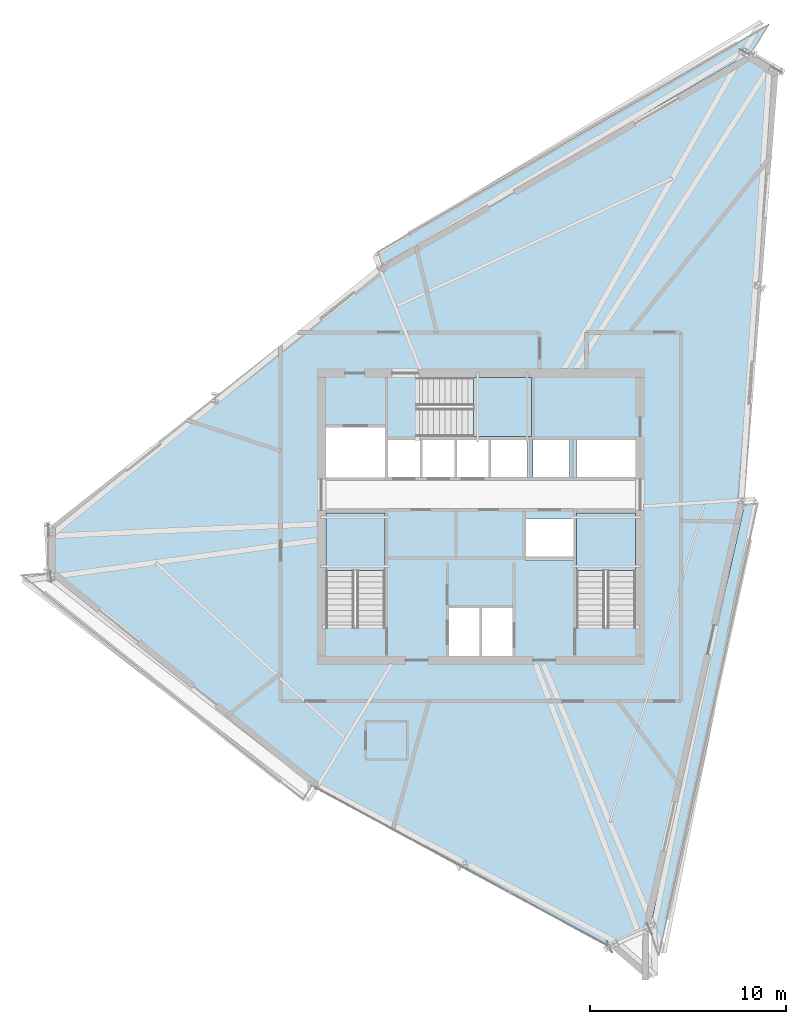
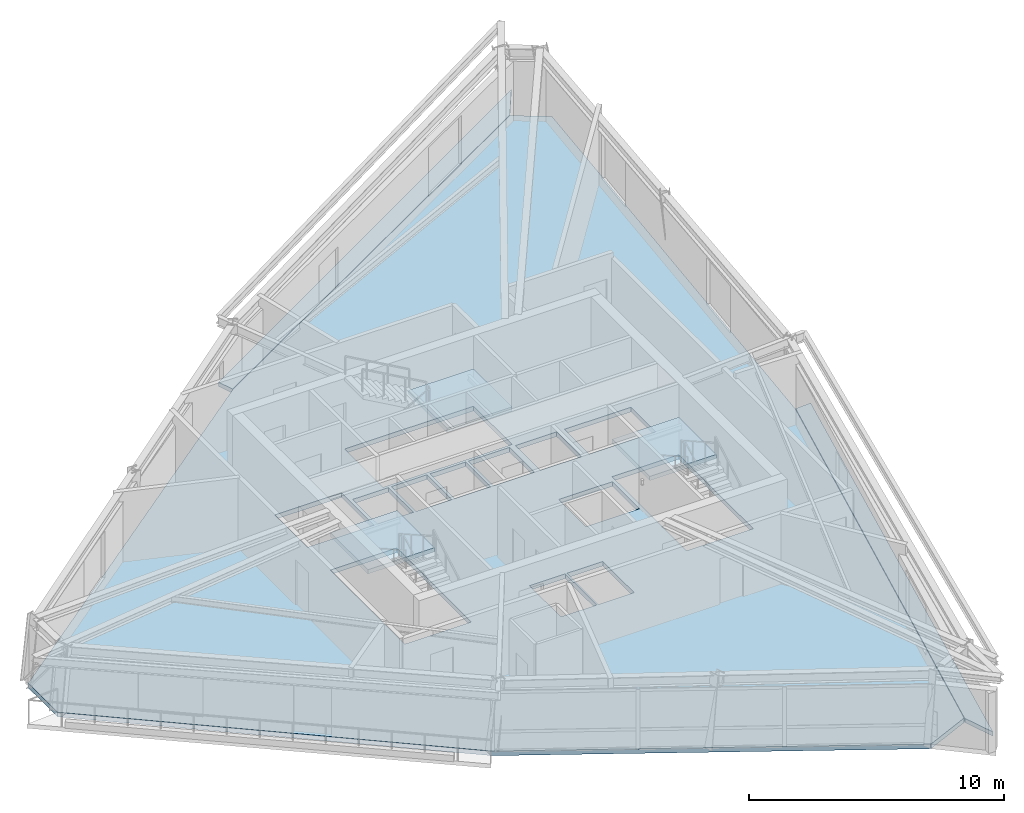
# One storey, part 7 of 15: 6 slabs, 3 elements without a shape of their own.
"""IFC4 building model written with IfcOpenShell, lengths in metres."""

from ifc_helpers import new_model, si_unit, direction, frame, origin, place, context, subcontext, project, spatial, polyline, outline, extrude, material, layer, layer_set, type_object, element, aggregate, save


model = new_model("IFC4")

# Units and contexts
model_context = context("Model", 3, precision=1e-05, world=origin(), true_north=direction((0.0, 1.0)))
body_context = subcontext(model_context, "Body", "Model", "MODEL_VIEW")
ifc_project = project(units=[si_unit("LENGTHUNIT", "METRE"), si_unit("AREAUNIT", "SQUARE_METRE"), si_unit("VOLUMEUNIT", "CUBIC_METRE"), si_unit("PLANEANGLEUNIT", "RADIAN"), si_unit("MASSUNIT", "GRAM", prefix="KILO")], contexts=[model_context])

# Site, building, storey
site_placement = place(None, origin())
site = spatial("IfcSite", under=ifc_project, at=site_placement, CompositionType="ELEMENT")
building_placement = place(site_placement, origin())
building = spatial("IfcBuilding", under=site, at=building_placement, Name="Olszyna Solenne Hotel", CompositionType="ELEMENT")
storey_placement = place(building_placement, frame((0.0, 0.0, 270.5)))
storey = spatial("IfcBuildingStorey", under=building, at=storey_placement, Name="L72", CompositionType="ELEMENT", Elevation=270.5)

# Stair, slab
ifc_material_1 = material(Name="Concrete C40/50", Category="concrete")
stair_type = type_object("IfcStairType", Name="STR-C1", PredefinedType="TWO_QUARTER_WINDING_STAIR", material=ifc_material_1)
stair_1_placement = place(storey_placement, origin())
stair_1 = element("IfcStair", 1, at=stair_1_placement, inside=storey, type_object=stair_type, Name="L72 ST1", PredefinedType="TWO_QUARTER_WINDING_STAIR")
ifc_layer_1 = layer(ifc_material_1, 0.18994140625, Name="Concrete C40/50")
ifc_layer_set_1 = layer_set([ifc_layer_1], Name="Concrete C40/50")
slab_type_1 = type_object("IfcSlabType", Name="SL-LN190", PredefinedType="LANDING", material=ifc_layer_set_1)
slab_1_placement = place(storey_placement, frame((0.0, 0.0, 1.60009765625)))
slab_1 = element("IfcSlab", 2, at=slab_1_placement, type_object=slab_type_1, Name="ST1 landing 1", PredefinedType="LANDING", context=body_context, shape_type="SweptSolid", body=[
    extrude(outline(polyline([(33.1201171875, 23.85009765625), (33.1201171875, 26.800048828125), (30.10009765625, 26.800048828125), (30.10009765625, 23.85009765625), (33.1201171875, 23.85009765625)])), origin(), (0.0, 0.0, 1.0), 0.199951171875),
])
aggregate(stair_1, [slab_1])

stair_2_placement = place(storey_placement, origin())
stair_2 = element("IfcStair", 3, at=stair_2_placement, inside=storey, type_object=stair_type, Name="L72 ST2", PredefinedType="TWO_QUARTER_WINDING_STAIR")
slab_2_placement = place(storey_placement, frame((0.0, 0.0, 1.60009765625)))
slab_2 = element("IfcSlab", 4, at=slab_2_placement, type_object=slab_type_1, Name="ST2 landing 1", PredefinedType="LANDING", context=body_context, shape_type="SweptSolid", body=[
    extrude(outline(polyline([(45.89990234375, 23.85009765625), (45.89990234375, 26.800048828125), (42.8798828125, 26.800048828125), (42.8798828125, 23.85009765625), (45.89990234375, 23.85009765625)])), origin(), (0.0, 0.0, 1.0), 0.199951171875),
])
aggregate(stair_2, [slab_2])

stair_3_placement = place(storey_placement, origin())
stair_3 = element("IfcStair", 5, at=stair_3_placement, inside=storey, type_object=stair_type, Name="L72 ST3", PredefinedType="TWO_QUARTER_WINDING_STAIR")
slab_3_placement = place(storey_placement, frame((0.0, 0.0, 1.60009765625)))
slab_3 = element("IfcSlab", 6, at=slab_3_placement, type_object=slab_type_1, Name="ST3 landing 1", PredefinedType="LANDING", context=body_context, shape_type="SweptSolid", body=[
    extrude(outline(polyline([(37.6298828125, 30.679931640625), (40.580078125, 30.679931640625), (40.580078125, 33.699951171875), (37.6298828125, 33.699951171875), (37.6298828125, 30.679931640625)])), origin(), (0.0, 0.0, 1.0), 0.199951171875),
])
aggregate(stair_3, [slab_3])

# Slabs
ifc_material_2 = material(Name="Precast concrete C45/55", Category="concrete")
ifc_layer_2 = layer(ifc_material_2, 0.199951171875, Name="Precast concrete C45/55")
ifc_layer_set_2 = layer_set([ifc_layer_2], Name="Precast concrete C45/55")
slab_type_2 = type_object("IfcSlabType", Name="SL-LOG200", PredefinedType="FLOOR", material=ifc_layer_set_2)
slab_4_placement = place(storey_placement, frame((0.0, 0.0, -0.199951171875)))
element("IfcSlab", 7, at=slab_4_placement, inside=storey, type_object=slab_type_2, Name="Exterior loggia balcony slab SL-L72-LG1", PredefinedType="FLOOR", context=body_context, shape_type="SweptSolid", body=[
    extrude(outline(polyline([(32.972412109375, 39.447021484375), (51.76123046875, 50.247314453125), (51.7626953125, 50.248046875), (51.763916015625, 50.24853515625), (51.765380859375, 50.248779296875), (51.766845703125, 50.249267578125), (51.768310546875, 50.249267578125), (51.769775390625, 50.249267578125), (51.771240234375, 50.2490234375), (51.772705078125, 50.248779296875), (51.774169921875, 50.248291015625), (51.775390625, 50.247802734375), (51.776611328125, 50.2470703125), (52.7119140625, 51.7451171875), (32.72509765625, 40.13525390625), (32.972412109375, 39.447021484375)])), origin(), (0.0, 0.0, 1.0), 0.199951171875),
])
slab_5_placement = place(storey_placement, frame((0.0, 0.0, -0.199951171875)))
element("IfcSlab", 8, at=slab_5_placement, inside=storey, type_object=slab_type_2, Name="Exterior loggia balcony slab SL-L72-LG3", PredefinedType="FLOOR", context=body_context, shape_type="SweptSolid", body=[
    extrude(outline(polyline([(51.45068359375, 27.232421875), (51.45068359375, 27.22998046875), (51.4501953125, 27.227783203125), (46.6044921875, 5.578369140625), (46.603515625, 5.541015625), (47.09423828125, 4.1748046875), (52.15966796875, 27.283935546875), (51.45068359375, 27.232421875)])), origin(), (0.0, 0.0, 1.0), 0.199951171875),
])
ifc_material_3 = material(Name="Concrete C50/60", Category="concrete")
ifc_layer_3 = layer(ifc_material_3, 0.219970703125, Name="Concrete C50/60")
ifc_layer_set_3 = layer_set([ifc_layer_3], Name="Concrete C50/60")
slab_type_3 = type_object("IfcSlabType", Name="SL-TW225", PredefinedType="FLOOR", material=ifc_layer_set_3)
slab_6_placement = place(storey_placement, frame((0.0, 0.0, -0.219970703125)))
element("IfcSlab", 9, at=slab_6_placement, inside=storey, type_object=slab_type_3, Name="Floor slab SL-TW225 SL-L72-01", PredefinedType="FLOOR", context=body_context, shape_type="SweptSolid", body=[
    extrude(outline(polyline([(53.17041015625, 49.35009765625), (51.768798828125, 50.234375), (32.9775390625, 39.4326171875), (15.9482421875, 26.0244140625), (15.956298828125, 23.727294921875), (29.389892578125, 12.89599609375), (44.566650390625, 4.683837890625), (46.589599609375, 5.580078125), (51.435546875, 27.231201171875), (53.17041015625, 49.35009765625)]), holes=[polyline([(30.10009765625, 20.949951171875), (33.1201171875, 20.949951171875), (33.1201171875, 26.800048828125), (30.10009765625, 26.800048828125), (30.10009765625, 20.949951171875)]), polyline([(42.8798828125, 20.949951171875), (45.89990234375, 20.949951171875), (45.89990234375, 26.800048828125), (42.8798828125, 26.800048828125), (42.8798828125, 20.949951171875)]), polyline([(34.72998046875, 30.679931640625), (40.580078125, 30.679931640625), (40.580078125, 33.699951171875), (34.72998046875, 33.699951171875), (34.72998046875, 30.679931640625)]), polyline([(36.340087890625, 19.5), (37.9599609375, 19.5), (37.9599609375, 21.9599609375), (36.340087890625, 21.9599609375), (36.340087890625, 19.5)]), polyline([(38.0400390625, 19.5), (39.659912109375, 19.5), (39.659912109375, 21.9599609375), (38.0400390625, 21.9599609375), (38.0400390625, 19.5)]), polyline([(30.10009765625, 28.60009765625), (33.1201171875, 28.60009765625), (33.1201171875, 31.159912109375), (30.10009765625, 31.159912109375), (30.10009765625, 28.60009765625)]), polyline([(40.280029296875, 24.360107421875), (42.719970703125, 24.360107421875), (42.719970703125, 26.5), (40.280029296875, 26.5), (40.280029296875, 24.360107421875)]), polyline([(33.280029296875, 28.60009765625), (34.89990234375, 28.60009765625), (34.89990234375, 30.550048828125), (33.280029296875, 30.550048828125), (33.280029296875, 28.60009765625)]), polyline([(35.030029296875, 28.60009765625), (36.64990234375, 28.60009765625), (36.64990234375, 30.550048828125), (35.030029296875, 30.550048828125), (35.030029296875, 28.60009765625)]), polyline([(36.780029296875, 28.60009765625), (38.39990234375, 28.60009765625), (38.39990234375, 30.550048828125), (36.780029296875, 30.550048828125), (36.780029296875, 28.60009765625)]), polyline([(38.530029296875, 28.60009765625), (40.389892578125, 28.60009765625), (40.389892578125, 30.550048828125), (38.530029296875, 30.550048828125), (38.530029296875, 28.60009765625)]), polyline([(40.659912109375, 28.60009765625), (42.52001953125, 28.60009765625), (42.52001953125, 30.550048828125), (40.659912109375, 30.550048828125), (40.659912109375, 28.60009765625)]), polyline([(42.8798828125, 28.60009765625), (45.89990234375, 28.60009765625), (45.89990234375, 30.550048828125), (42.8798828125, 30.550048828125), (42.8798828125, 28.60009765625)])]), origin(), (0.0, 0.0, 1.0), 0.219970703125),
])

save(model, "model.ifc")
